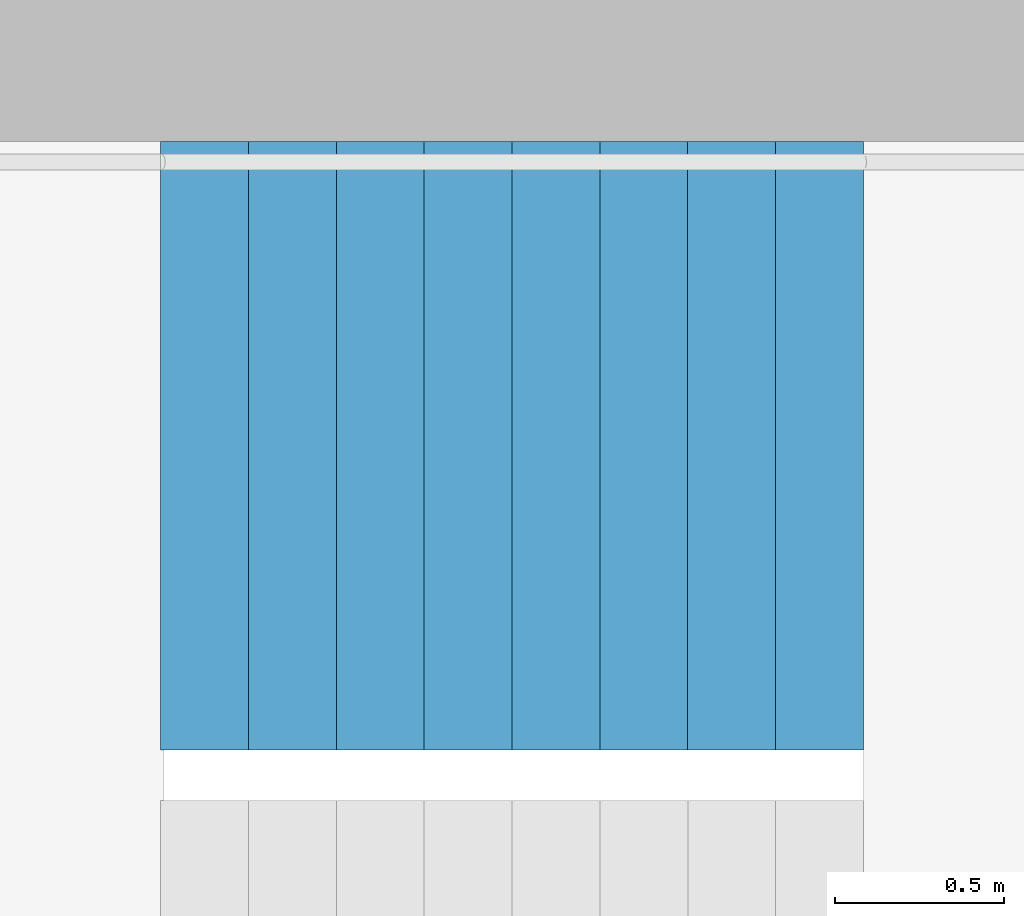
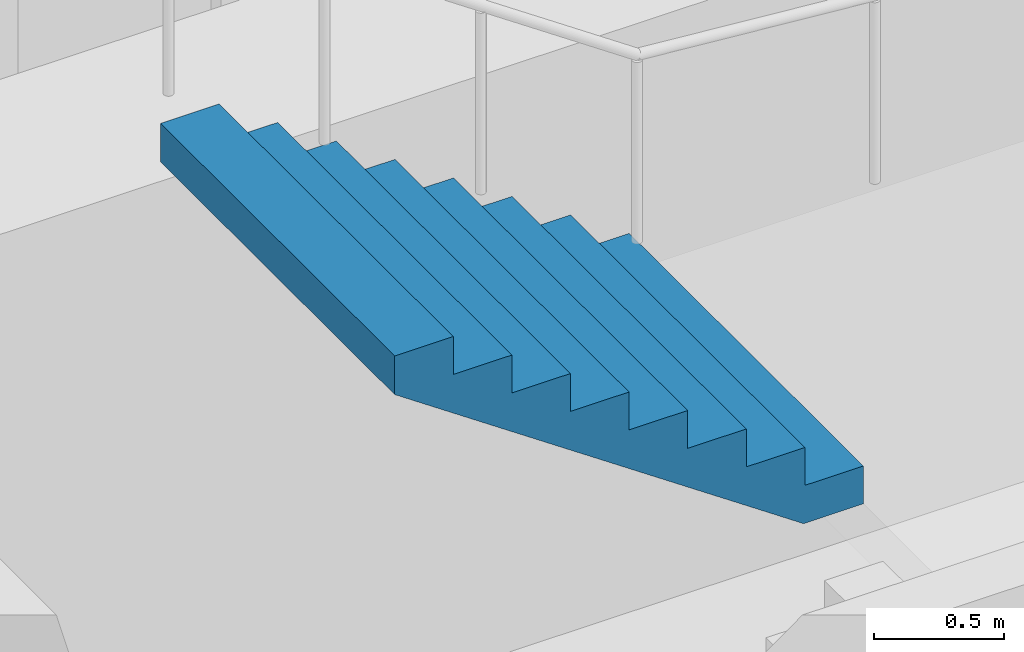
# One storey, part 21 of 26: 1 stair flight, 1 element without a shape of its own.
"""IFC4 building model written with IfcOpenShell, lengths in metres."""

from ifc_helpers import new_model, si_unit, direction, frame, origin, place, context, subcontext, project, spatial, triangles, material, type_object, element, aggregate, save


model = new_model("IFC4")

# Units and contexts
model_context = context("Model", 3, precision=1e-05, world=origin(), true_north=direction((0.0, 1.0)))
body_context = subcontext(model_context, "Body", "Model", "MODEL_VIEW")
ifc_project = project(units=[si_unit("LENGTHUNIT", "METRE"), si_unit("AREAUNIT", "SQUARE_METRE"), si_unit("VOLUMEUNIT", "CUBIC_METRE"), si_unit("PLANEANGLEUNIT", "RADIAN"), si_unit("MASSUNIT", "GRAM", prefix="KILO")], contexts=[model_context])

# Site, building, storey
site_placement = place(None, origin())
site = spatial("IfcSite", under=ifc_project, at=site_placement, CompositionType="ELEMENT")
building_placement = place(site_placement, origin())
building = spatial("IfcBuilding", under=site, at=building_placement, Name="Hakoniwa Tower and Hamabe Station Hall", CompositionType="ELEMENT")
storey_placement = place(building_placement, frame((0.0, 0.0, 159.800048828125)))
storey = spatial("IfcBuildingStorey", under=building, at=storey_placement, Name="L45", CompositionType="ELEMENT", Elevation=159.800048828125)

# Stair, stair flight
ifc_material_1 = material(Name="Concrete C40", Category="concrete")
stair_type = type_object("IfcStairType", Name="ESCAPE STAIR 1800", PredefinedType="HALF_TURN_STAIR", material=ifc_material_1)
stair_placement = place(storey_placement, origin())
stair = element("IfcStair", 1, at=stair_placement, inside=storey, type_object=stair_type, Name="Escape stair ST-1 L45", PredefinedType="HALF_TURN_STAIR")
ifc_material_2 = material(Name="Concrete C40", Category="concrete")
stair_flight_type = type_object("IfcStairFlightType", Name="STAIR FLIGHT 1800", PredefinedType="STRAIGHT", material=ifc_material_2)
stair_flight_placement = place(storey_placement, frame((-22.320068359375, 6.60009765625, 1.599853515625), z_axis=(0.0, 0.0, 1.0), x_axis=(-1.0, 0.0, 0.0)))
stair_flight = element("IfcStairFlight", 2, at=stair_flight_placement, type_object=stair_flight_type, Name="ST-1 flight 2", NumberOfRisers=9, NumberOfTreads=8, PredefinedType="STRAIGHT", RiserHeight=0.177777778, TreadLength=0.26, context=body_context, shape_type="Tessellation", body=[
    triangles([(0.0, 0.89990234375, 0.0), (0.260009765625, 0.89990234375, 0.0), (0.265625, 0.89990234375, 0.0), (0.52001953125, 0.89990234375, 0.174072265625), (0.780029296875, 0.89990234375, 0.351806640625), (1.0400390625, 0.89990234375, 0.529541015625), (1.300048828125, 0.89990234375, 0.707275390625), (1.56005859375, 0.89990234375, 0.885009765625), (1.820068359375, 0.89990234375, 1.062744140625), (2.080078125, 0.89990234375, 1.24072265625), (2.080078125, 0.89990234375, 1.422119140625), (1.820068359375, 0.89990234375, 1.422119140625), (1.820068359375, 0.89990234375, 1.244384765625), (1.56005859375, 0.89990234375, 1.244384765625), (1.56005859375, 0.89990234375, 1.066650390625), (1.300048828125, 0.89990234375, 1.066650390625), (1.300048828125, 0.89990234375, 0.888916015625), (1.0400390625, 0.89990234375, 0.888916015625), (1.0400390625, 0.89990234375, 0.711181640625), (0.780029296875, 0.89990234375, 0.711181640625), (0.780029296875, 0.89990234375, 0.533447265625), (0.52001953125, 0.89990234375, 0.533447265625), (0.52001953125, 0.89990234375, 0.35546875), (0.265625, 0.89990234375, 0.35546875), (0.260009765625, 0.89990234375, 0.35546875), (0.260009765625, 0.89990234375, 0.177734375), (0.0, 0.89990234375, 0.177734375), (0.0, 0.06005859375, 0.0), (0.260009765625, 0.06005859375, 0.0), (0.265625, 0.06005859375, 0.0), (0.52001953125, 0.06005859375, 0.174072265625), (0.780029296875, 0.06005859375, 0.351806640625), (1.0400390625, 0.06005859375, 0.529541015625), (1.300048828125, 0.06005859375, 0.707275390625), (1.56005859375, 0.06005859375, 0.885009765625), (1.820068359375, 0.06005859375, 1.062744140625), (2.080078125, 0.06005859375, 1.24072265625), (2.080078125, 0.06005859375, 1.422119140625), (1.820068359375, 0.06005859375, 1.422119140625), (1.820068359375, 0.06005859375, 1.244384765625), (1.56005859375, 0.06005859375, 1.244384765625), (1.56005859375, 0.06005859375, 1.066650390625), (1.300048828125, 0.06005859375, 1.066650390625), (1.300048828125, 0.06005859375, 0.888916015625), (1.0400390625, 0.06005859375, 0.888916015625), (1.0400390625, 0.06005859375, 0.711181640625), (0.780029296875, 0.06005859375, 0.711181640625), (0.780029296875, 0.06005859375, 0.533447265625), (0.52001953125, 0.06005859375, 0.533447265625), (0.52001953125, 0.06005859375, 0.35546875), (0.265625, 0.06005859375, 0.35546875), (0.260009765625, 0.06005859375, 0.35546875), (0.260009765625, 0.06005859375, 0.177734375), (0.0, 0.06005859375, 0.177734375), (0.0, 0.04296875, 0.0), (0.260009765625, 0.04296875, 0.0), (0.265625, 0.04296875, 0.0), (0.52001953125, 0.04296875, 0.174072265625), (0.780029296875, 0.04296875, 0.351806640625), (1.0400390625, 0.04296875, 0.529541015625), (1.300048828125, 0.04296875, 0.707275390625), (1.56005859375, 0.04296875, 0.885009765625), (1.820068359375, 0.04296875, 1.062744140625), (2.080078125, 0.04296875, 1.24072265625), (2.080078125, 0.04296875, 1.422119140625), (1.820068359375, 0.04296875, 1.422119140625), (1.820068359375, 0.04296875, 1.244384765625), (1.56005859375, 0.04296875, 1.244384765625), (1.56005859375, 0.04296875, 1.066650390625), (1.300048828125, 0.04296875, 1.066650390625), (1.300048828125, 0.04296875, 0.888916015625), (1.0400390625, 0.04296875, 0.888916015625), (1.0400390625, 0.04296875, 0.711181640625), (0.780029296875, 0.04296875, 0.711181640625), (0.780029296875, 0.04296875, 0.533447265625), (0.52001953125, 0.04296875, 0.533447265625), (0.52001953125, 0.04296875, 0.35546875), (0.265625, 0.04296875, 0.35546875), (0.260009765625, 0.04296875, 0.35546875), (0.260009765625, 0.04296875, 0.177734375), (0.0, 0.04296875, 0.177734375), (0.0, 0.025634765625, 0.0), (0.260009765625, 0.025634765625, 0.0), (0.265625, 0.025634765625, 0.0), (0.52001953125, 0.025634765625, 0.174072265625), (0.780029296875, 0.025634765625, 0.351806640625), (1.0400390625, 0.025634765625, 0.529541015625), (1.300048828125, 0.025634765625, 0.707275390625), (1.56005859375, 0.025634765625, 0.885009765625), (1.820068359375, 0.025634765625, 1.062744140625), (2.080078125, 0.025634765625, 1.24072265625), (2.080078125, 0.025634765625, 1.422119140625), (1.820068359375, 0.025634765625, 1.422119140625), (1.820068359375, 0.025634765625, 1.244384765625), (1.56005859375, 0.025634765625, 1.244384765625), (1.56005859375, 0.025634765625, 1.066650390625), (1.300048828125, 0.025634765625, 1.066650390625), (1.300048828125, 0.025634765625, 0.888916015625), (1.0400390625, 0.025634765625, 0.888916015625), (1.0400390625, 0.025634765625, 0.711181640625), (0.780029296875, 0.025634765625, 0.711181640625), (0.780029296875, 0.025634765625, 0.533447265625), (0.52001953125, 0.025634765625, 0.533447265625), (0.52001953125, 0.025634765625, 0.35546875), (0.265625, 0.025634765625, 0.35546875), (0.260009765625, 0.025634765625, 0.35546875), (0.260009765625, 0.025634765625, 0.177734375), (0.0, 0.025634765625, 0.177734375), (0.0, 0.008544921875, 0.0), (0.260009765625, 0.008544921875, 0.0), (0.265625, 0.008544921875, 0.0), (0.52001953125, 0.008544921875, 0.174072265625), (0.780029296875, 0.008544921875, 0.351806640625), (1.0400390625, 0.008544921875, 0.529541015625), (1.300048828125, 0.008544921875, 0.707275390625), (1.56005859375, 0.008544921875, 0.885009765625), (1.820068359375, 0.008544921875, 1.062744140625), (2.080078125, 0.008544921875, 1.24072265625), (2.080078125, 0.008544921875, 1.422119140625), (1.820068359375, 0.008544921875, 1.422119140625), (1.820068359375, 0.008544921875, 1.244384765625), (1.56005859375, 0.008544921875, 1.244384765625), (1.56005859375, 0.008544921875, 1.066650390625), (1.300048828125, 0.008544921875, 1.066650390625), (1.300048828125, 0.008544921875, 0.888916015625), (1.0400390625, 0.008544921875, 0.888916015625), (1.0400390625, 0.008544921875, 0.711181640625), (0.780029296875, 0.008544921875, 0.711181640625), (0.780029296875, 0.008544921875, 0.533447265625), (0.52001953125, 0.008544921875, 0.533447265625), (0.52001953125, 0.008544921875, 0.35546875), (0.265625, 0.008544921875, 0.35546875), (0.260009765625, 0.008544921875, 0.35546875), (0.260009765625, 0.008544921875, 0.177734375), (0.0, 0.008544921875, 0.177734375), (0.0, -0.008544921875, 0.0), (0.260009765625, -0.008544921875, 0.0), (0.265625, -0.008544921875, 0.0), (0.52001953125, -0.008544921875, 0.174072265625), (0.780029296875, -0.008544921875, 0.351806640625), (1.0400390625, -0.008544921875, 0.529541015625), (1.300048828125, -0.008544921875, 0.707275390625), (1.56005859375, -0.008544921875, 0.885009765625), (1.820068359375, -0.008544921875, 1.062744140625), (2.080078125, -0.008544921875, 1.24072265625), (2.080078125, -0.008544921875, 1.422119140625), (1.820068359375, -0.008544921875, 1.422119140625), (1.820068359375, -0.008544921875, 1.244384765625), (1.56005859375, -0.008544921875, 1.244384765625), (1.56005859375, -0.008544921875, 1.066650390625), (1.300048828125, -0.008544921875, 1.066650390625), (1.300048828125, -0.008544921875, 0.888916015625), (1.0400390625, -0.008544921875, 0.888916015625), (1.0400390625, -0.008544921875, 0.711181640625), (0.780029296875, -0.008544921875, 0.711181640625), (0.780029296875, -0.008544921875, 0.533447265625), (0.52001953125, -0.008544921875, 0.533447265625), (0.52001953125, -0.008544921875, 0.35546875), (0.265625, -0.008544921875, 0.35546875), (0.260009765625, -0.008544921875, 0.35546875), (0.260009765625, -0.008544921875, 0.177734375), (0.0, -0.008544921875, 0.177734375), (0.0, -0.025634765625, 0.0), (0.260009765625, -0.025634765625, 0.0), (0.265625, -0.025634765625, 0.0), (0.52001953125, -0.025634765625, 0.174072265625), (0.780029296875, -0.025634765625, 0.351806640625), (1.0400390625, -0.025634765625, 0.529541015625), (1.300048828125, -0.025634765625, 0.707275390625), (1.56005859375, -0.025634765625, 0.885009765625), (1.820068359375, -0.025634765625, 1.062744140625), (2.080078125, -0.025634765625, 1.24072265625), (2.080078125, -0.025634765625, 1.422119140625), (1.820068359375, -0.025634765625, 1.422119140625), (1.820068359375, -0.025634765625, 1.244384765625), (1.56005859375, -0.025634765625, 1.244384765625), (1.56005859375, -0.025634765625, 1.066650390625), (1.300048828125, -0.025634765625, 1.066650390625), (1.300048828125, -0.025634765625, 0.888916015625), (1.0400390625, -0.025634765625, 0.888916015625), (1.0400390625, -0.025634765625, 0.711181640625), (0.780029296875, -0.025634765625, 0.711181640625), (0.780029296875, -0.025634765625, 0.533447265625), (0.52001953125, -0.025634765625, 0.533447265625), (0.52001953125, -0.025634765625, 0.35546875), (0.265625, -0.025634765625, 0.35546875), (0.260009765625, -0.025634765625, 0.35546875), (0.260009765625, -0.025634765625, 0.177734375), (0.0, -0.025634765625, 0.177734375), (0.0, -0.04296875, 0.0), (0.260009765625, -0.04296875, 0.0), (0.265625, -0.04296875, 0.0), (0.52001953125, -0.04296875, 0.174072265625), (0.780029296875, -0.04296875, 0.351806640625), (1.0400390625, -0.04296875, 0.529541015625), (1.300048828125, -0.04296875, 0.707275390625), (1.56005859375, -0.04296875, 0.885009765625), (1.820068359375, -0.04296875, 1.062744140625), (2.080078125, -0.04296875, 1.24072265625), (2.080078125, -0.04296875, 1.422119140625), (1.820068359375, -0.04296875, 1.422119140625), (1.820068359375, -0.04296875, 1.244384765625), (1.56005859375, -0.04296875, 1.244384765625), (1.56005859375, -0.04296875, 1.066650390625), (1.300048828125, -0.04296875, 1.066650390625), (1.300048828125, -0.04296875, 0.888916015625), (1.0400390625, -0.04296875, 0.888916015625), (1.0400390625, -0.04296875, 0.711181640625), (0.780029296875, -0.04296875, 0.711181640625), (0.780029296875, -0.04296875, 0.533447265625), (0.52001953125, -0.04296875, 0.533447265625), (0.52001953125, -0.04296875, 0.35546875), (0.265625, -0.04296875, 0.35546875), (0.260009765625, -0.04296875, 0.35546875), (0.260009765625, -0.04296875, 0.177734375), (0.0, -0.04296875, 0.177734375), (0.0, -0.06005859375, 0.0), (0.260009765625, -0.06005859375, 0.0), (0.265625, -0.06005859375, 0.0), (0.52001953125, -0.06005859375, 0.174072265625), (0.780029296875, -0.06005859375, 0.351806640625), (1.0400390625, -0.06005859375, 0.529541015625), (1.300048828125, -0.06005859375, 0.707275390625), (1.56005859375, -0.06005859375, 0.885009765625), (1.820068359375, -0.06005859375, 1.062744140625), (2.080078125, -0.06005859375, 1.24072265625), (2.080078125, -0.06005859375, 1.422119140625), (1.820068359375, -0.06005859375, 1.422119140625), (1.820068359375, -0.06005859375, 1.244384765625), (1.56005859375, -0.06005859375, 1.244384765625), (1.56005859375, -0.06005859375, 1.066650390625), (1.300048828125, -0.06005859375, 1.066650390625), (1.300048828125, -0.06005859375, 0.888916015625), (1.0400390625, -0.06005859375, 0.888916015625), (1.0400390625, -0.06005859375, 0.711181640625), (0.780029296875, -0.06005859375, 0.711181640625), (0.780029296875, -0.06005859375, 0.533447265625), (0.52001953125, -0.06005859375, 0.533447265625), (0.52001953125, -0.06005859375, 0.35546875), (0.265625, -0.06005859375, 0.35546875), (0.260009765625, -0.06005859375, 0.35546875), (0.260009765625, -0.06005859375, 0.177734375), (0.0, -0.06005859375, 0.177734375), (0.0, -0.89990234375, 0.0), (0.260009765625, -0.89990234375, 0.0), (0.265625, -0.89990234375, 0.0), (0.52001953125, -0.89990234375, 0.174072265625), (0.780029296875, -0.89990234375, 0.351806640625), (1.0400390625, -0.89990234375, 0.529541015625), (1.300048828125, -0.89990234375, 0.707275390625), (1.56005859375, -0.89990234375, 0.885009765625), (1.820068359375, -0.89990234375, 1.062744140625), (2.080078125, -0.89990234375, 1.24072265625), (2.080078125, -0.89990234375, 1.422119140625), (1.820068359375, -0.89990234375, 1.422119140625), (1.820068359375, -0.89990234375, 1.244384765625), (1.56005859375, -0.89990234375, 1.244384765625), (1.56005859375, -0.89990234375, 1.066650390625), (1.300048828125, -0.89990234375, 1.066650390625), (1.300048828125, -0.89990234375, 0.888916015625), (1.0400390625, -0.89990234375, 0.888916015625), (1.0400390625, -0.89990234375, 0.711181640625), (0.780029296875, -0.89990234375, 0.711181640625), (0.780029296875, -0.89990234375, 0.533447265625), (0.52001953125, -0.89990234375, 0.533447265625), (0.52001953125, -0.89990234375, 0.35546875), (0.265625, -0.89990234375, 0.35546875), (0.260009765625, -0.89990234375, 0.35546875), (0.260009765625, -0.89990234375, 0.177734375), (0.0, -0.89990234375, 0.177734375)], [[2, 27, 26], [245, 269, 270], [2, 1, 27], [245, 270, 244], [3, 25, 24], [246, 267, 268], [3, 26, 25], [246, 268, 269], [3, 2, 26], [246, 269, 245], [4, 24, 23], [247, 266, 267], [4, 3, 24], [247, 267, 246], [5, 22, 21], [248, 264, 265], [5, 23, 22], [248, 265, 266], [5, 4, 23], [248, 266, 247], [6, 20, 19], [249, 262, 263], [6, 21, 20], [249, 263, 264], [6, 5, 21], [249, 264, 248], [7, 18, 17], [250, 260, 261], [7, 19, 18], [250, 261, 262], [7, 6, 19], [250, 262, 249], [8, 16, 15], [251, 258, 259], [8, 17, 16], [251, 259, 260], [8, 7, 17], [251, 260, 250], [9, 14, 13], [252, 256, 257], [9, 15, 14], [252, 257, 258], [9, 8, 15], [252, 258, 251], [10, 12, 11], [253, 254, 255], [10, 13, 12], [253, 255, 256], [10, 9, 13], [253, 256, 252], [1, 2, 29], [1, 29, 28], [28, 29, 56], [28, 56, 55], [55, 56, 83], [55, 83, 82], [82, 83, 110], [82, 110, 109], [109, 110, 137], [109, 137, 136], [136, 137, 164], [136, 164, 163], [163, 164, 191], [163, 191, 190], [190, 191, 218], [190, 218, 217], [217, 218, 245], [217, 245, 244], [2, 3, 30], [2, 30, 29], [29, 30, 57], [29, 57, 56], [56, 57, 84], [56, 84, 83], [83, 84, 111], [83, 111, 110], [110, 111, 138], [110, 138, 137], [137, 138, 165], [137, 165, 164], [164, 165, 192], [164, 192, 191], [191, 192, 219], [191, 219, 218], [218, 219, 246], [218, 246, 245], [3, 4, 31], [3, 31, 30], [30, 31, 58], [30, 58, 57], [57, 58, 85], [57, 85, 84], [84, 85, 112], [84, 112, 111], [111, 112, 139], [111, 139, 138], [138, 139, 166], [138, 166, 165], [165, 166, 193], [165, 193, 192], [192, 193, 220], [192, 220, 219], [219, 220, 247], [219, 247, 246], [4, 5, 32], [4, 32, 31], [31, 32, 59], [31, 59, 58], [58, 59, 86], [58, 86, 85], [85, 86, 113], [85, 113, 112], [112, 113, 140], [112, 140, 139], [139, 140, 167], [139, 167, 166], [166, 167, 194], [166, 194, 193], [193, 194, 221], [193, 221, 220], [220, 221, 248], [220, 248, 247], [5, 6, 33], [5, 33, 32], [32, 33, 60], [32, 60, 59], [59, 60, 87], [59, 87, 86], [86, 87, 114], [86, 114, 113], [113, 114, 141], [113, 141, 140], [140, 141, 168], [140, 168, 167], [167, 168, 195], [167, 195, 194], [194, 195, 222], [194, 222, 221], [221, 222, 249], [221, 249, 248], [6, 7, 34], [6, 34, 33], [33, 34, 61], [33, 61, 60], [60, 61, 88], [60, 88, 87], [87, 88, 115], [87, 115, 114], [114, 115, 142], [114, 142, 141], [141, 142, 169], [141, 169, 168], [168, 169, 196], [168, 196, 195], [195, 196, 223], [195, 223, 222], [222, 223, 250], [222, 250, 249], [7, 8, 35], [7, 35, 34], [34, 35, 62], [34, 62, 61], [61, 62, 89], [61, 89, 88], [88, 89, 116], [88, 116, 115], [115, 116, 143], [115, 143, 142], [142, 143, 170], [142, 170, 169], [169, 170, 197], [169, 197, 196], [196, 197, 224], [196, 224, 223], [223, 224, 251], [223, 251, 250], [8, 9, 36], [8, 36, 35], [35, 36, 63], [35, 63, 62], [62, 63, 90], [62, 90, 89], [89, 90, 117], [89, 117, 116], [116, 117, 144], [116, 144, 143], [143, 144, 171], [143, 171, 170], [170, 171, 198], [170, 198, 197], [197, 198, 225], [197, 225, 224], [224, 225, 252], [224, 252, 251], [9, 10, 37], [9, 37, 36], [36, 37, 64], [36, 64, 63], [63, 64, 91], [63, 91, 90], [90, 91, 118], [90, 118, 117], [117, 118, 145], [117, 145, 144], [144, 145, 172], [144, 172, 171], [171, 172, 199], [171, 199, 198], [198, 199, 226], [198, 226, 225], [225, 226, 253], [225, 253, 252], [10, 11, 38], [10, 38, 37], [37, 38, 65], [37, 65, 64], [64, 65, 92], [64, 92, 91], [91, 92, 119], [91, 119, 118], [118, 119, 146], [118, 146, 145], [145, 146, 173], [145, 173, 172], [172, 173, 200], [172, 200, 199], [199, 200, 227], [199, 227, 226], [226, 227, 254], [226, 254, 253], [11, 12, 39], [11, 39, 38], [38, 39, 66], [38, 66, 65], [65, 66, 93], [65, 93, 92], [92, 93, 120], [92, 120, 119], [119, 120, 147], [119, 147, 146], [146, 147, 174], [146, 174, 173], [173, 174, 201], [173, 201, 200], [200, 201, 228], [200, 228, 227], [227, 228, 255], [227, 255, 254], [12, 13, 40], [12, 40, 39], [39, 40, 67], [39, 67, 66], [66, 67, 94], [66, 94, 93], [93, 94, 121], [93, 121, 120], [120, 121, 148], [120, 148, 147], [147, 148, 175], [147, 175, 174], [174, 175, 202], [174, 202, 201], [201, 202, 229], [201, 229, 228], [228, 229, 256], [228, 256, 255], [13, 14, 41], [13, 41, 40], [40, 41, 68], [40, 68, 67], [67, 68, 95], [67, 95, 94], [94, 95, 122], [94, 122, 121], [121, 122, 149], [121, 149, 148], [148, 149, 176], [148, 176, 175], [175, 176, 203], [175, 203, 202], [202, 203, 230], [202, 230, 229], [229, 230, 257], [229, 257, 256], [14, 15, 42], [14, 42, 41], [41, 42, 69], [41, 69, 68], [68, 69, 96], [68, 96, 95], [95, 96, 123], [95, 123, 122], [122, 123, 150], [122, 150, 149], [149, 150, 177], [149, 177, 176], [176, 177, 204], [176, 204, 203], [203, 204, 231], [203, 231, 230], [230, 231, 258], [230, 258, 257], [15, 16, 43], [15, 43, 42], [42, 43, 70], [42, 70, 69], [69, 70, 97], [69, 97, 96], [96, 97, 124], [96, 124, 123], [123, 124, 151], [123, 151, 150], [150, 151, 178], [150, 178, 177], [177, 178, 205], [177, 205, 204], [204, 205, 232], [204, 232, 231], [231, 232, 259], [231, 259, 258], [16, 17, 44], [16, 44, 43], [43, 44, 71], [43, 71, 70], [70, 71, 98], [70, 98, 97], [97, 98, 125], [97, 125, 124], [124, 125, 152], [124, 152, 151], [151, 152, 179], [151, 179, 178], [178, 179, 206], [178, 206, 205], [205, 206, 233], [205, 233, 232], [232, 233, 260], [232, 260, 259], [17, 18, 45], [17, 45, 44], [44, 45, 72], [44, 72, 71], [71, 72, 99], [71, 99, 98], [98, 99, 126], [98, 126, 125], [125, 126, 153], [125, 153, 152], [152, 153, 180], [152, 180, 179], [179, 180, 207], [179, 207, 206], [206, 207, 234], [206, 234, 233], [233, 234, 261], [233, 261, 260], [18, 19, 46], [18, 46, 45], [45, 46, 73], [45, 73, 72], [72, 73, 100], [72, 100, 99], [99, 100, 127], [99, 127, 126], [126, 127, 154], [126, 154, 153], [153, 154, 181], [153, 181, 180], [180, 181, 208], [180, 208, 207], [207, 208, 235], [207, 235, 234], [234, 235, 262], [234, 262, 261], [19, 20, 47], [19, 47, 46], [46, 47, 74], [46, 74, 73], [73, 74, 101], [73, 101, 100], [100, 101, 128], [100, 128, 127], [127, 128, 155], [127, 155, 154], [154, 155, 182], [154, 182, 181], [181, 182, 209], [181, 209, 208], [208, 209, 236], [208, 236, 235], [235, 236, 263], [235, 263, 262], [20, 21, 48], [20, 48, 47], [47, 48, 75], [47, 75, 74], [74, 75, 102], [74, 102, 101], [101, 102, 129], [101, 129, 128], [128, 129, 156], [128, 156, 155], [155, 156, 183], [155, 183, 182], [182, 183, 210], [182, 210, 209], [209, 210, 237], [209, 237, 236], [236, 237, 264], [236, 264, 263], [21, 22, 49], [21, 49, 48], [48, 49, 76], [48, 76, 75], [75, 76, 103], [75, 103, 102], [102, 103, 130], [102, 130, 129], [129, 130, 157], [129, 157, 156], [156, 157, 184], [156, 184, 183], [183, 184, 211], [183, 211, 210], [210, 211, 238], [210, 238, 237], [237, 238, 265], [237, 265, 264], [22, 23, 50], [22, 50, 49], [49, 50, 77], [49, 77, 76], [76, 77, 104], [76, 104, 103], [103, 104, 131], [103, 131, 130], [130, 131, 158], [130, 158, 157], [157, 158, 185], [157, 185, 184], [184, 185, 212], [184, 212, 211], [211, 212, 239], [211, 239, 238], [238, 239, 266], [238, 266, 265], [23, 24, 51], [23, 51, 50], [50, 51, 78], [50, 78, 77], [77, 78, 105], [77, 105, 104], [104, 105, 132], [104, 132, 131], [131, 132, 159], [131, 159, 158], [158, 159, 186], [158, 186, 185], [185, 186, 213], [185, 213, 212], [212, 213, 240], [212, 240, 239], [239, 240, 267], [239, 267, 266], [24, 25, 52], [24, 52, 51], [51, 52, 79], [51, 79, 78], [78, 79, 106], [78, 106, 105], [105, 106, 133], [105, 133, 132], [132, 133, 160], [132, 160, 159], [159, 160, 187], [159, 187, 186], [186, 187, 214], [186, 214, 213], [213, 214, 241], [213, 241, 240], [240, 241, 268], [240, 268, 267], [25, 26, 53], [25, 53, 52], [52, 53, 80], [52, 80, 79], [79, 80, 107], [79, 107, 106], [106, 107, 134], [106, 134, 133], [133, 134, 161], [133, 161, 160], [160, 161, 188], [160, 188, 187], [187, 188, 215], [187, 215, 214], [214, 215, 242], [214, 242, 241], [241, 242, 269], [241, 269, 268], [26, 27, 54], [26, 54, 53], [53, 54, 81], [53, 81, 80], [80, 81, 108], [80, 108, 107], [107, 108, 135], [107, 135, 134], [134, 135, 162], [134, 162, 161], [161, 162, 189], [161, 189, 188], [188, 189, 216], [188, 216, 215], [215, 216, 243], [215, 243, 242], [242, 243, 270], [242, 270, 269], [27, 1, 28], [27, 28, 54], [54, 28, 55], [54, 55, 81], [81, 55, 82], [81, 82, 108], [108, 82, 109], [108, 109, 135], [135, 109, 136], [135, 136, 162], [162, 136, 163], [162, 163, 189], [189, 163, 190], [189, 190, 216], [216, 190, 217], [216, 217, 243], [243, 217, 244], [243, 244, 270]], closed=True),
])
aggregate(stair, [stair_flight])

save(model, "model.ifc")
